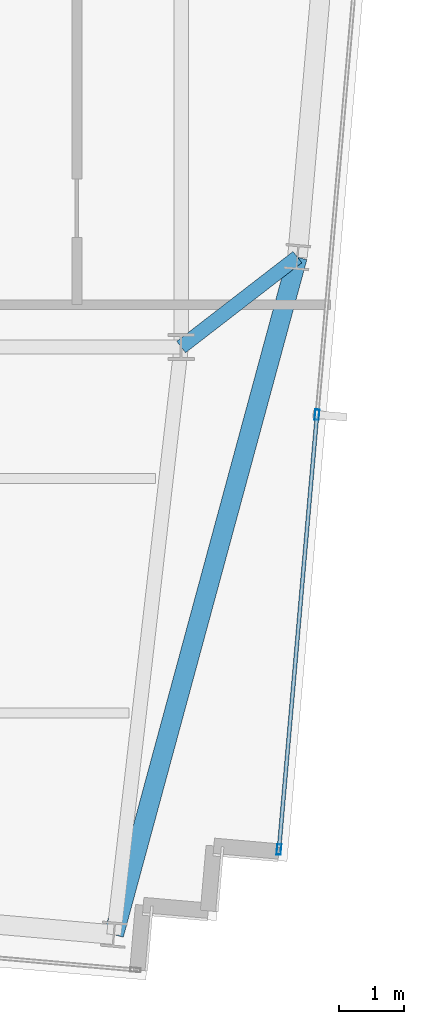
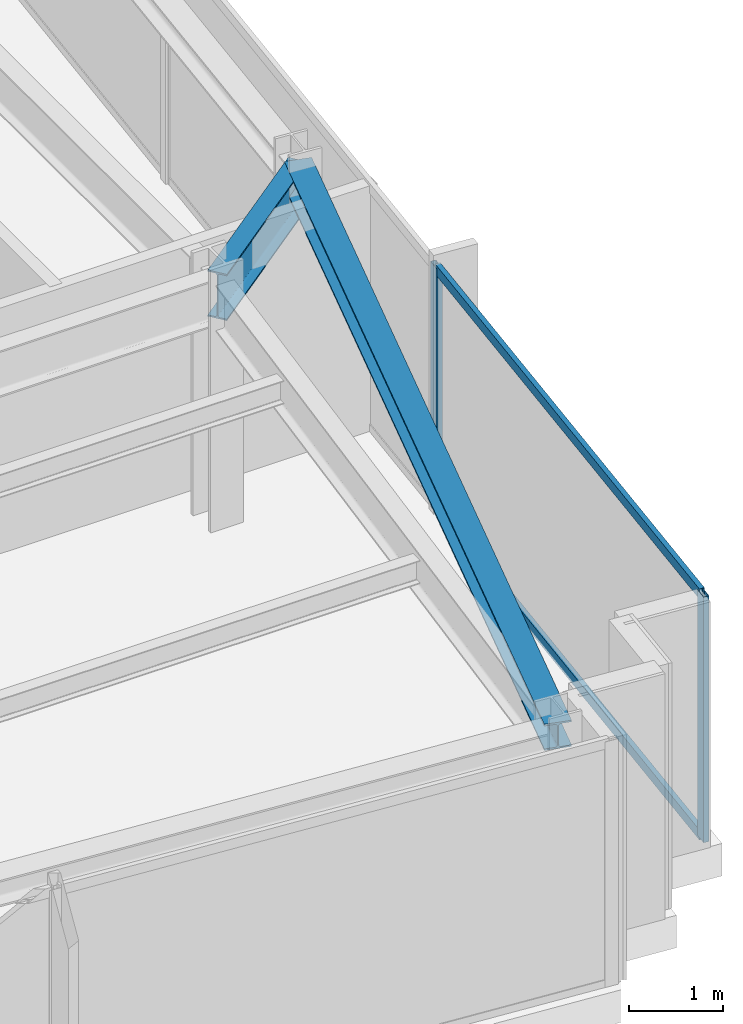
# One storey, part 16 of 32: 4 members, 2 beams, 1 element without a shape of its own.
"""IFC4 building model written with IfcOpenShell, lengths in metres."""

from ifc_helpers import new_model, si_unit, direction, frame, origin, origin_2d, place, context, subcontext, project, spatial, hollow_rectangle, i_section, extrude, material, material_profile, profile_set, type_object, element, aggregate, save


model = new_model("IFC4")

# Units and contexts
model_context = context("Model", 3, precision=1e-05, world=origin(), true_north=direction((0.0, 1.0)))
body_context = subcontext(model_context, "Body", "Model", "MODEL_VIEW")
ifc_project = project(units=[si_unit("LENGTHUNIT", "METRE"), si_unit("AREAUNIT", "SQUARE_METRE"), si_unit("VOLUMEUNIT", "CUBIC_METRE"), si_unit("PLANEANGLEUNIT", "RADIAN"), si_unit("MASSUNIT", "GRAM", prefix="KILO")], contexts=[model_context])

# Site, building, storey
site_placement = place(None, origin())
site = spatial("IfcSite", under=ifc_project, at=site_placement, CompositionType="ELEMENT")
building_placement = place(site_placement, origin())
building = spatial("IfcBuilding", under=site, at=building_placement, Name="Yelkora Congress Tower", CompositionType="ELEMENT")
storey_placement = place(building_placement, frame((0.0, 0.0, 259.10009765625)))
storey = spatial("IfcBuildingStorey", under=building, at=storey_placement, Name="L72", CompositionType="ELEMENT", Elevation=259.10009765625)

# Beams
ifc_material_1 = material(Name="Steel S355J2", Category="steel")
ifc_material_profile_1 = material_profile(ifc_material_1, i_section(OverallWidth=0.219970703125, OverallDepth=0.60009765625, WebThickness=0.011962890625, FlangeThickness=0.01904296875, FilletRadius=0.02392578125, at=origin_2d()), Name="IPE 600")
ifc_profile_set_1 = profile_set([ifc_material_profile_1], Name="Steel S355J2")
beam_type_1 = type_object("IfcBeamType", Name="BM-GIRD-IPE600", PredefinedType="BEAM", material=ifc_profile_set_1)
beam_1_placement = place(storey_placement, frame((55.543701171875, 26.57861328125, 2.8798828125), z_axis=(-0.791208781933, -0.611546125318, 0.0), x_axis=(0.611546125318, -0.791208781933, 0.0)))
element("IfcBeam", 1, at=beam_1_placement, inside=storey, type_object=beam_type_1, Name="L72 Primary Frame Girder E01", PredefinedType="BEAM", context=body_context, shape_type="SweptSolid", body=[
    extrude(i_section(OverallWidth=0.219970703125, OverallDepth=0.60009765625, WebThickness=0.011962890625, FlangeThickness=0.01904296875, FilletRadius=0.02392578125, at=origin_2d()), origin(), (0.0, 0.0, 1.0), 2.25439453125),
])
ifc_material_profile_2 = material_profile(ifc_material_1, i_section(OverallWidth=0.300048828125, OverallDepth=0.340087890625, WebThickness=0.011962890625, FlangeThickness=0.021484375, FilletRadius=0.027099609375, at=origin_2d()), Name="HEB 340")
ifc_profile_set_2 = profile_set([ifc_material_profile_2], Name="Steel S355J2")
beam_type_2 = type_object("IfcBeamType", Name="BM-SPAN-HEB340", PredefinedType="SPANDREL", material=ifc_profile_set_2)
beam_2_placement = place(storey_placement, frame((52.727294921875, 16.1845703125, 3.010009765625), z_axis=(0.261532523212, 0.965194663942, 0.0), x_axis=(-0.965194663942, 0.261532523212, 0.0)))
element("IfcBeam", 2, at=beam_2_placement, inside=storey, type_object=beam_type_2, Name="L72 Perimeter Beam 7", PredefinedType="SPANDREL", context=body_context, shape_type="SweptSolid", body=[
    extrude(i_section(OverallWidth=0.300048828125, OverallDepth=0.340087890625, WebThickness=0.011962890625, FlangeThickness=0.021484375, FilletRadius=0.027099609375, at=origin_2d()), origin(), (0.0, 0.0, 1.0), 10.768798828125),
])

# Curtain wall, members
ifc_material_2 = material(Name="Anodised aluminium and insulated glass", Category="aluminium")
curtain_wall_type = type_object("IfcCurtainWallType", Name="CW-SYS-B5", PredefinedType="NOTDEFINED", material=ifc_material_2)
curtain_wall_placement = place(storey_placement, origin())
curtain_wall = element("IfcCurtainWall", 3, at=curtain_wall_placement, inside=storey, type_object=curtain_wall_type, Name="L72 Unitised Curtain Wall 15", PredefinedType="NOTDEFINED")
ifc_material_3 = material(Name="Anodised aluminium 6063-T6", Category="aluminium")
ifc_material_profile_3 = material_profile(ifc_material_3, hollow_rectangle(XDim=0.06494140625, YDim=0.159912109375, WallThickness=0.00390625, at=origin_2d()), Name="ALU 65x160x4")
ifc_profile_set_3 = profile_set([ifc_material_profile_3], Name="Anodised aluminium 6063-T6")
member_type_1 = type_object("IfcMemberType", Name="MEM-ML-B5", PredefinedType="MULLION", material=ifc_profile_set_3)
member_1_placement = place(storey_placement, frame((55.844482421875, 24.1630859375, 0.0), z_axis=(0.0, 0.0, 1.0), x_axis=(0.996194463398, -0.087158425264, 0.0)))
member_1 = element("IfcMember", 4, at=member_1_placement, type_object=member_type_1, Name="CW-B5 mullion 4", PredefinedType="MULLION", context=body_context, shape_type="SweptSolid", body=[
    extrude(hollow_rectangle(XDim=0.06494140625, YDim=0.159912109375, WallThickness=0.00390625, at=origin_2d()), origin(), (0.0, 0.0, 1.0), 3.179931640625),
])
member_2_placement = place(storey_placement, frame((55.2607421875, 17.4912109375, 0.0), z_axis=(0.0, 0.0, 1.0), x_axis=(0.996194463398, -0.087158425264, 0.0)))
member_2 = element("IfcMember", 5, at=member_2_placement, type_object=member_type_1, Name="CW-B5 mullion 5", PredefinedType="MULLION", context=body_context, shape_type="SweptSolid", body=[
    extrude(hollow_rectangle(XDim=0.06494140625, YDim=0.159912109375, WallThickness=0.00390625, at=origin_2d()), origin(), (0.0, 0.0, 1.0), 3.179931640625),
])
ifc_material_profile_4 = material_profile(ifc_material_3, hollow_rectangle(XDim=0.06005859375, YDim=0.1298828125, WallThickness=0.00390625, at=origin_2d()), Name="ALU 60x130x4")
ifc_profile_set_4 = profile_set([ifc_material_profile_4], Name="Anodised aluminium 6063-T6")
member_type_2 = type_object("IfcMemberType", Name="MEM-TR-B5", PredefinedType="USERDEFINED", material=ifc_profile_set_4)
member_3_placement = place(storey_placement, frame((55.841552734375, 24.130859375, 0.02978515625), z_axis=(-0.087163297365, -0.996194037119, 0.0), x_axis=(0.996194037119, -0.087163297365, 0.0)))
member_3 = element("IfcMember", 6, at=member_3_placement, type_object=member_type_2, Name="CW-B5 transom 4.1", ObjectType="TRANSOM", PredefinedType="USERDEFINED", context=body_context, shape_type="SweptSolid", body=[
    extrude(hollow_rectangle(XDim=0.06005859375, YDim=0.1298828125, WallThickness=0.00390625, at=origin_2d()), origin(), (0.0, 0.0, 1.0), 6.632568359375),
])
member_4_placement = place(storey_placement, frame((55.841552734375, 24.130859375, 3.14990234375), z_axis=(-0.087163297365, -0.996194037119, 0.0), x_axis=(0.996194037119, -0.087163297365, 0.0)))
member_4 = element("IfcMember", 7, at=member_4_placement, type_object=member_type_2, Name="CW-B5 transom 4.2", ObjectType="TRANSOM", PredefinedType="USERDEFINED", context=body_context, shape_type="SweptSolid", body=[
    extrude(hollow_rectangle(XDim=0.06005859375, YDim=0.1298828125, WallThickness=0.00390625, at=origin_2d()), origin(), (0.0, 0.0, 1.0), 6.632568359375),
])
aggregate(curtain_wall, [member_1, member_2, member_3, member_4])

save(model, "model.ifc")
